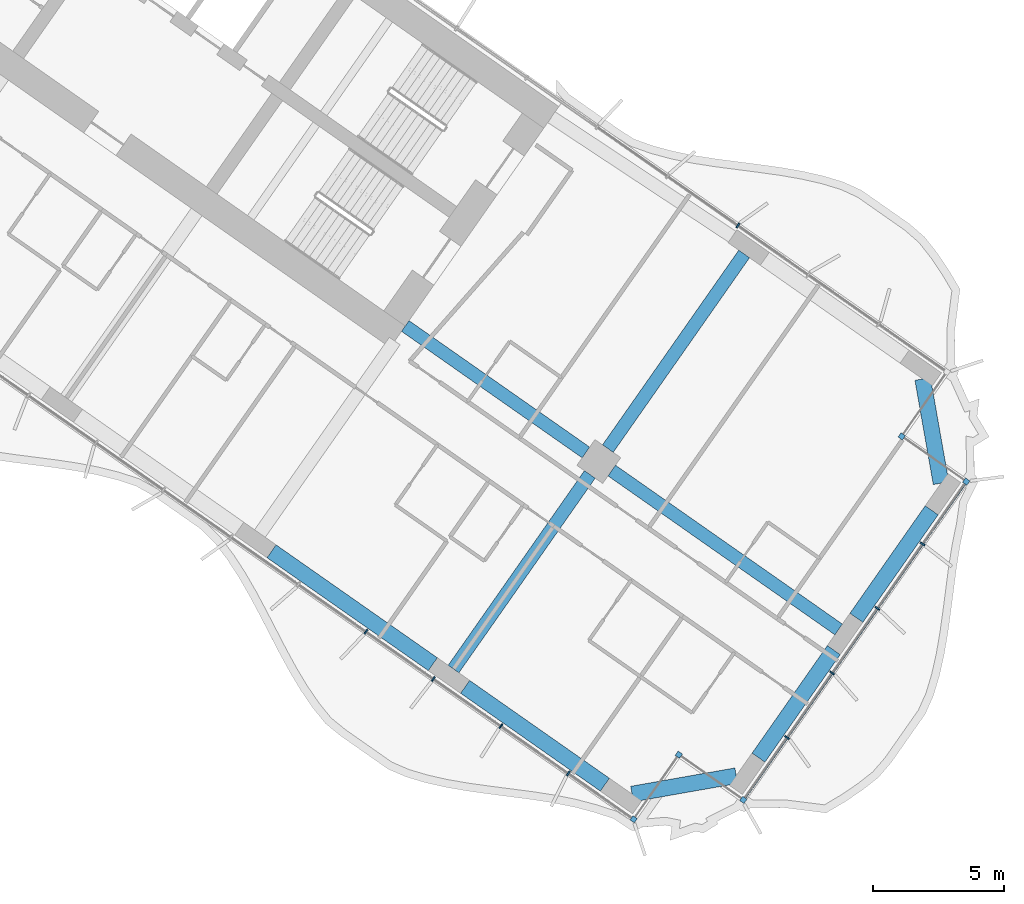
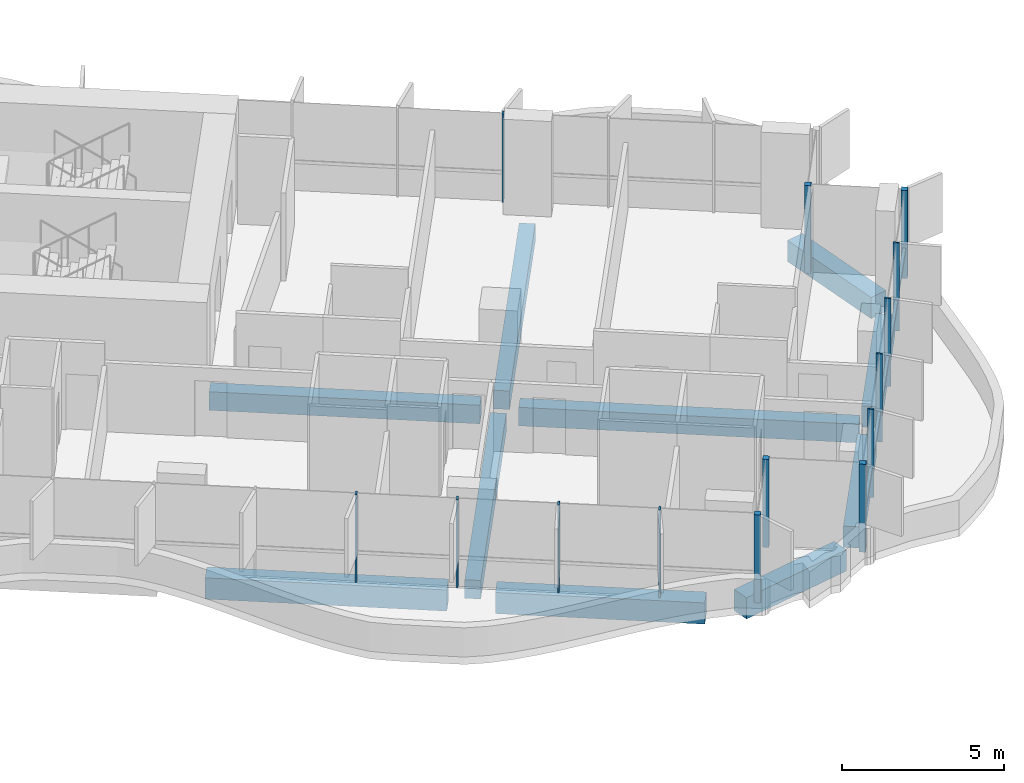
# One storey, part 9 of 24: 15 members, 10 beams, 1 element without a shape of its own.
"""IFC4 building model written with IfcOpenShell, lengths in metres."""

from ifc_helpers import new_model, si_unit, direction, frame, origin, origin_2d, place, context, subcontext, project, spatial, rectangle, extrude, material, material_profile, profile_set, type_object, element, aggregate, save


model = new_model("IFC4")

# Units and contexts
model_context = context("Model", 3, precision=1e-05, world=origin(), true_north=direction((0.0, 1.0)))
body_context = subcontext(model_context, "Body", "Model", "MODEL_VIEW")
ifc_project = project(units=[si_unit("LENGTHUNIT", "METRE"), si_unit("AREAUNIT", "SQUARE_METRE"), si_unit("VOLUMEUNIT", "CUBIC_METRE"), si_unit("PLANEANGLEUNIT", "RADIAN"), si_unit("MASSUNIT", "GRAM", prefix="KILO")], contexts=[model_context])

# Site, building, storey
site_placement = place(None, origin())
site = spatial("IfcSite", under=ifc_project, at=site_placement, CompositionType="ELEMENT")
building_placement = place(site_placement, origin())
building = spatial("IfcBuilding", under=site, at=building_placement, Name="Tel Ilan Convention Tower", CompositionType="ELEMENT")
storey_placement = place(building_placement, frame((0.0, 0.0, 65.300048828125)))
storey = spatial("IfcBuildingStorey", under=building, at=storey_placement, Name="L11", CompositionType="ELEMENT", Elevation=65.300048828125)

# Beams
ifc_material_1 = material(Name="Concrete C40/50", Category="concrete")
ifc_material_profile_1 = material_profile(ifc_material_1, rectangle(XDim=0.5, YDim=0.699951171875, at=origin_2d()), Name="RC 500x700")
ifc_profile_set_1 = profile_set([ifc_material_profile_1], Name="Concrete C40/50")
beam_type_1 = type_object("IfcBeamType", Name="Beam RC 500x700 Concrete C40/50", PredefinedType="BEAM", material=ifc_profile_set_1)
beam_1_placement = place(storey_placement, frame((22.1171875, -15.486572265625, -0.630126953125), z_axis=(0.819147254605, -0.573583276668, 0.0), x_axis=(0.573583276668, 0.819147254605, 0.0)))
element("IfcBeam", 1, at=beam_1_placement, inside=storey, type_object=beam_type_1, Name="L11 beam E-core-E-M4", PredefinedType="BEAM", context=body_context, shape_type="SweptSolid", body=[
    extrude(rectangle(XDim=0.5, YDim=0.699951171875, at=origin_2d()), origin(), (0.0, 0.0, 1.0), 8.400146484375),
])
beam_2_placement = place(storey_placement, frame((29.98095703125, -20.992919921875, -0.630126953125), z_axis=(0.819151461915, -0.573577268067, 0.0), x_axis=(0.573577268067, 0.819151461915, 0.0)))
element("IfcBeam", 2, at=beam_2_placement, inside=storey, type_object=beam_type_1, Name="L11 beam E-E-M4-end", PredefinedType="BEAM", context=body_context, shape_type="SweptSolid", body=[
    extrude(rectangle(XDim=0.5, YDim=0.699951171875, at=origin_2d()), origin(), (0.0, 0.0, 1.0), 10.550048828125),
])
for number, where, z_axis, x_axis, name in (
    (3, (29.145263671875, -21.14013671875, -0.630126953125), (-0.573549245583, -0.819171082798, 0.0), (0.819171082798, -0.573549245583, 0.0), "L11 beam E-E-M4-E-F4"),
    (4, (29.83349609375, -20.1572265625, -0.630126953125), (0.57358002233, 0.819149533348, 0.0), (-0.819149533348, 0.57358002233, 0.0), "L11 beam E-E-M4-E-B4"),
):
    element("IfcBeam", number, at=place(storey_placement, frame(where, z_axis=z_axis, x_axis=x_axis)), inside=storey, type_object=beam_type_1, Name=name, PredefinedType="BEAM", context=body_context, shape_type="SweptSolid", body=[
        extrude(rectangle(XDim=0.5, YDim=0.699951171875, at=origin_2d()), origin(), (0.0, 0.0, 1.0), 9.050048828125),
    ])
ifc_material_2 = material(Name="Concrete C40/50", Category="concrete")
ifc_material_profile_2 = material_profile(ifc_material_2, rectangle(XDim=0.60009765625, YDim=0.800048828125, at=origin_2d()), Name="RC 600x800")
ifc_profile_set_2 = profile_set([ifc_material_profile_2], Name="Concrete C40/50")
beam_type_2 = type_object("IfcBeamType", Name="Beam RC 600x800 Concrete C40/50", PredefinedType="BEAM", material=ifc_profile_set_2)
beam_3_placement = place(storey_placement, frame((17.0244140625, -24.0673828125, -0.679931640625), z_axis=(0.81915238829, -0.573575945067, 0.0), x_axis=(0.573575945067, 0.81915238829, 0.0)))
element("IfcBeam", 5, at=beam_3_placement, inside=storey, type_object=beam_type_2, Name="L11 beam E-E-F3-E-F4", PredefinedType="BEAM", context=body_context, shape_type="SweptSolid", body=[
    extrude(rectangle(XDim=0.60009765625, YDim=0.800048828125, at=origin_2d()), origin(), (0.0, 0.0, 1.0), 7.5),
])
beam_4_placement = place(storey_placement, frame((24.396728515625, -29.2294921875, -0.679931640625), z_axis=(0.819148977158, -0.573580816643, 0.0), x_axis=(0.573580816643, 0.819148977158, 0.0)))
element("IfcBeam", 6, at=beam_4_placement, inside=storey, type_object=beam_type_2, Name="L11 beam E-E-F4-E-FC", PredefinedType="BEAM", context=body_context, shape_type="SweptSolid", body=[
    extrude(rectangle(XDim=0.60009765625, YDim=0.800048828125, at=origin_2d()), origin(), (0.0, 0.0, 1.0), 6.5),
])
beam_5_placement = place(storey_placement, frame((30.75341796875, -33.314208984375, -0.679931640625), z_axis=(0.984815252405, 0.173605641124, 0.0), x_axis=(-0.173605641124, 0.984815252405, 0.0)))
element("IfcBeam", 7, at=beam_5_placement, inside=storey, type_object=beam_type_2, Name="L11 beam E-E-FC-E-E1", PredefinedType="BEAM", context=body_context, shape_type="SweptSolid", body=[
    extrude(rectangle(XDim=0.60009765625, YDim=0.800048828125, at=origin_2d()), origin(), (0.0, 0.0, 1.0), 4.030517578125),
])
for number, where, z_axis, x_axis, name in (
    (8, (35.57080078125, -31.92626953125, -0.679931640625), (0.573586866468, 0.819144740944, 0.0), (-0.819144740944, 0.573586866468, 0.0), "L11 beam E-E-E1-E-E2"),
    (9, (39.298828125, -26.601806640625, -0.679931640625), (0.573586866468, 0.819144740944, 0.0), (-0.819144740944, 0.573586866468, 0.0), "L11 beam E-E-E2-E-E3"),
):
    element("IfcBeam", number, at=place(storey_placement, frame(where, z_axis=z_axis, x_axis=x_axis)), inside=storey, type_object=beam_type_2, Name=name, PredefinedType="BEAM", context=body_context, shape_type="SweptSolid", body=[
        extrude(rectangle(XDim=0.60009765625, YDim=0.800048828125, at=origin_2d()), origin(), (0.0, 0.0, 1.0), 5.0),
    ])
beam_6_placement = place(storey_placement, frame((42.523193359375, -21.473876953125, -0.679931640625), z_axis=(-0.173605641124, 0.984815252405, 0.0), x_axis=(-0.984815252405, -0.173605641124, 0.0)))
element("IfcBeam", 10, at=beam_6_placement, inside=storey, type_object=beam_type_2, Name="L11 beam E-E-E3-E-BC", PredefinedType="BEAM", context=body_context, shape_type="SweptSolid", body=[
    extrude(rectangle(XDim=0.60009765625, YDim=0.800048828125, at=origin_2d()), origin(), (0.0, 0.0, 1.0), 4.030517578125),
])

# Curtain wall, members
ifc_material_3 = material(Name="Aluminium, bronze anodised", Category="aluminium")
curtain_wall_type = type_object("IfcCurtainWallType", Name="CW1 UNITISED CURTAIN WALL, HOTEL TINTED GLASS", PredefinedType="NOTDEFINED", material=ifc_material_3)
curtain_wall_placement = place(storey_placement, origin())
curtain_wall = element("IfcCurtainWall", 11, at=curtain_wall_placement, inside=storey, type_object=curtain_wall_type, Name="Curtain wall CW1-12.02", PredefinedType="NOTDEFINED")
ifc_material_4 = material(Name="Aluminium, bronze anodised", Category="aluminium")
ifc_material_profile_3 = material_profile(ifc_material_4, rectangle(XDim=0.199951171875, YDim=0.199951171875, at=origin_2d()), Name="CW CORNER MULLION 200x200")
ifc_profile_set_3 = profile_set([ifc_material_profile_3], Name="Aluminium, bronze anodised")
member_type_1 = type_object("IfcMemberType", Name="CW CORNER MULLION 200x200", PredefinedType="MULLION", material=ifc_profile_set_3)
member_1_placement = place(storey_placement, frame((30.814697265625, -34.272705078125, 0.0), z_axis=(0.0, 0.0, 1.0), x_axis=(0.819152044289, -0.573576436351, 0.0)))
member_1 = element("IfcMember", 12, at=member_1_placement, type_object=member_type_1, Name="Corner mullion", PredefinedType="MULLION", context=body_context, shape_type="SweptSolid", body=[
    extrude(rectangle(XDim=0.199951171875, YDim=0.199951171875, at=origin_2d()), origin(), (0.0, 0.0, 1.0), 3.320068359375),
])
member_2_placement = place(storey_placement, frame((32.535400390625, -31.815185546875, 0.0), z_axis=(0.0, 0.0, 1.0), x_axis=(0.573576436351, 0.819152044289, 0.0)))
member_2 = element("IfcMember", 13, at=member_2_placement, type_object=member_type_1, Name="Corner mullion", PredefinedType="MULLION", context=body_context, shape_type="SweptSolid", body=[
    extrude(rectangle(XDim=0.199951171875, YDim=0.199951171875, at=origin_2d()), origin(), (0.0, 0.0, 1.0), 3.320068359375),
])
member_3_placement = place(storey_placement, frame((34.992919921875, -33.5361328125, 0.0), z_axis=(0.0, 0.0, 1.0), x_axis=(0.819152044289, -0.573576436351, 0.0)))
member_3 = element("IfcMember", 14, at=member_3_placement, type_object=member_type_1, Name="Corner mullion", PredefinedType="MULLION", context=body_context, shape_type="SweptSolid", body=[
    extrude(rectangle(XDim=0.199951171875, YDim=0.199951171875, at=origin_2d()), origin(), (0.0, 0.0, 1.0), 3.320068359375),
])
member_4_placement = place(storey_placement, frame((43.48193359375, -21.41259765625, 0.0), z_axis=(0.0, 0.0, 1.0), x_axis=(0.573576436351, 0.819152044289, 0.0)))
member_4 = element("IfcMember", 15, at=member_4_placement, type_object=member_type_1, Name="Corner mullion", PredefinedType="MULLION", context=body_context, shape_type="SweptSolid", body=[
    extrude(rectangle(XDim=0.199951171875, YDim=0.199951171875, at=origin_2d()), origin(), (0.0, 0.0, 1.0), 3.320068359375),
])
member_5_placement = place(storey_placement, frame((41.0244140625, -19.69189453125, 0.0), z_axis=(0.0, 0.0, 1.0), x_axis=(-0.819152044289, 0.573576436351, 0.0)))
member_5 = element("IfcMember", 16, at=member_5_placement, type_object=member_type_1, Name="Corner mullion", PredefinedType="MULLION", context=body_context, shape_type="SweptSolid", body=[
    extrude(rectangle(XDim=0.199951171875, YDim=0.199951171875, at=origin_2d()), origin(), (0.0, 0.0, 1.0), 3.320068359375),
])
ifc_material_5 = material(Name="Aluminium, bronze anodised", Category="aluminium")
ifc_material_profile_4 = material_profile(ifc_material_5, rectangle(XDim=0.06005859375, YDim=0.199951171875, at=origin_2d()), Name="CW MULLION 60x200")
ifc_profile_set_4 = profile_set([ifc_material_profile_4], Name="Aluminium, bronze anodised")
member_type_2 = type_object("IfcMemberType", Name="CW MULLION 60x200", PredefinedType="MULLION", material=ifc_profile_set_4)
member_6_placement = place(storey_placement, frame((20.616943359375, -27.132080078125, 0.0), z_axis=(0.0, 0.0, 1.0), x_axis=(0.819152044289, -0.573576436351, 0.0)))
member_6 = element("IfcMember", 17, at=member_6_placement, type_object=member_type_2, Name="Mullion", PredefinedType="MULLION", context=body_context, shape_type="SweptSolid", body=[
    extrude(rectangle(XDim=0.06005859375, YDim=0.199951171875, at=origin_2d()), origin(), (0.0, 0.0, 1.0), 3.320068359375),
])
member_7_placement = place(storey_placement, frame((23.186767578125, -28.931640625, 0.0), z_axis=(0.0, 0.0, 1.0), x_axis=(0.819152044289, -0.573576436351, 0.0)))
member_7 = element("IfcMember", 18, at=member_7_placement, type_object=member_type_2, Name="Mullion", PredefinedType="MULLION", context=body_context, shape_type="SweptSolid", body=[
    extrude(rectangle(XDim=0.06005859375, YDim=0.199951171875, at=origin_2d()), origin(), (0.0, 0.0, 1.0), 3.320068359375),
])
member_8_placement = place(storey_placement, frame((25.7568359375, -30.731201171875, 0.0), z_axis=(0.0, 0.0, 1.0), x_axis=(0.819152044289, -0.573576436351, 0.0)))
member_8 = element("IfcMember", 19, at=member_8_placement, type_object=member_type_2, Name="Mullion", PredefinedType="MULLION", context=body_context, shape_type="SweptSolid", body=[
    extrude(rectangle(XDim=0.06005859375, YDim=0.199951171875, at=origin_2d()), origin(), (0.0, 0.0, 1.0), 3.320068359375),
])
member_9_placement = place(storey_placement, frame((28.32666015625, -32.530517578125, 0.0), z_axis=(0.0, 0.0, 1.0), x_axis=(0.819152044289, -0.573576436351, 0.0)))
member_9 = element("IfcMember", 20, at=member_9_placement, type_object=member_type_2, Name="Mullion", PredefinedType="MULLION", context=body_context, shape_type="SweptSolid", body=[
    extrude(rectangle(XDim=0.06005859375, YDim=0.199951171875, at=origin_2d()), origin(), (0.0, 0.0, 1.0), 3.320068359375),
])
member_10_placement = place(storey_placement, frame((36.65625, -31.160400390625, 0.0), z_axis=(0.0, 0.0, 1.0), x_axis=(0.573576436351, 0.819152044289, 0.0)))
member_10 = element("IfcMember", 21, at=member_10_placement, type_object=member_type_2, Name="Mullion", PredefinedType="MULLION", context=body_context, shape_type="SweptSolid", body=[
    extrude(rectangle(XDim=0.06005859375, YDim=0.199951171875, at=origin_2d()), origin(), (0.0, 0.0, 1.0), 3.320068359375),
])
member_11_placement = place(storey_placement, frame((38.376953125, -28.703125, 0.0), z_axis=(0.0, 0.0, 1.0), x_axis=(0.573576436351, 0.819152044289, 0.0)))
member_11 = element("IfcMember", 22, at=member_11_placement, type_object=member_type_2, Name="Mullion", PredefinedType="MULLION", context=body_context, shape_type="SweptSolid", body=[
    extrude(rectangle(XDim=0.06005859375, YDim=0.199951171875, at=origin_2d()), origin(), (0.0, 0.0, 1.0), 3.320068359375),
])
member_12_placement = place(storey_placement, frame((40.09765625, -26.24560546875, 0.0), z_axis=(0.0, 0.0, 1.0), x_axis=(0.573576436351, 0.819152044289, 0.0)))
member_12 = element("IfcMember", 23, at=member_12_placement, type_object=member_type_2, Name="Mullion", PredefinedType="MULLION", context=body_context, shape_type="SweptSolid", body=[
    extrude(rectangle(XDim=0.06005859375, YDim=0.199951171875, at=origin_2d()), origin(), (0.0, 0.0, 1.0), 3.320068359375),
])
member_13_placement = place(storey_placement, frame((41.818359375, -23.7880859375, 0.0), z_axis=(0.0, 0.0, 1.0), x_axis=(0.573576436351, 0.819152044289, 0.0)))
member_13 = element("IfcMember", 24, at=member_13_placement, type_object=member_type_2, Name="Mullion", PredefinedType="MULLION", context=body_context, shape_type="SweptSolid", body=[
    extrude(rectangle(XDim=0.06005859375, YDim=0.199951171875, at=origin_2d()), origin(), (0.0, 0.0, 1.0), 3.320068359375),
])
member_14_placement = place(storey_placement, frame((34.7861328125, -11.66162109375, 0.0), z_axis=(0.0, 0.0, 1.0), x_axis=(-0.819152044289, 0.573576436351, 0.0)))
member_14 = element("IfcMember", 25, at=member_14_placement, type_object=member_type_2, Name="Mullion", PredefinedType="MULLION", context=body_context, shape_type="SweptSolid", body=[
    extrude(rectangle(XDim=0.06005859375, YDim=0.199951171875, at=origin_2d()), origin(), (0.0, 0.0, 1.0), 3.320068359375),
])
ifc_material_6 = material(Name="Aluminium, bronze anodised", Category="aluminium")
ifc_material_profile_5 = material_profile(ifc_material_6, rectangle(XDim=0.10009765625, YDim=0.1201171875, at=origin_2d()), Name="CW TRANSOM 100x120")
ifc_profile_set_5 = profile_set([ifc_material_profile_5], Name="Aluminium, bronze anodised")
member_type_3 = type_object("IfcMemberType", Name="CW TRANSOM 100x120", PredefinedType="USERDEFINED", material=ifc_profile_set_5)
member_15_placement = place(storey_placement, frame((35.05029296875, -33.4541015625, 1.099853515625), z_axis=(0.573575688231, 0.819152568128, 0.0), x_axis=(-0.819152568128, 0.573575688231, 0.0)))
member_15 = element("IfcMember", 26, at=member_15_placement, type_object=member_type_3, Name="Transom", ObjectType="TRANSOM", PredefinedType="USERDEFINED", context=body_context, shape_type="SweptSolid", body=[
    extrude(rectangle(XDim=0.10009765625, YDim=0.1201171875, at=origin_2d()), origin(), (0.0, 0.0, 1.0), 14.60009765625),
])
aggregate(curtain_wall, [member_6, member_7, member_8, member_9, member_1, member_2, member_3, member_10, member_11, member_12, member_13, member_4, member_15, member_5, member_14])

save(model, "model.ifc")
